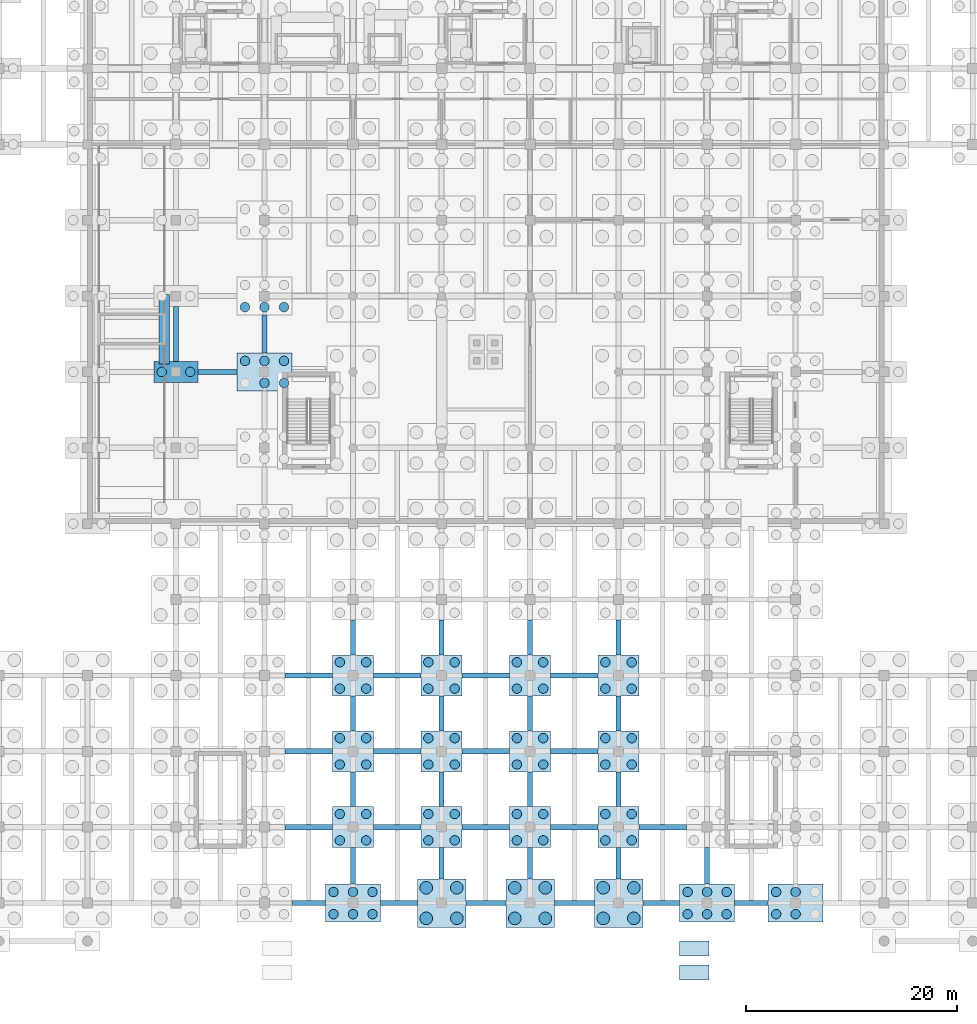
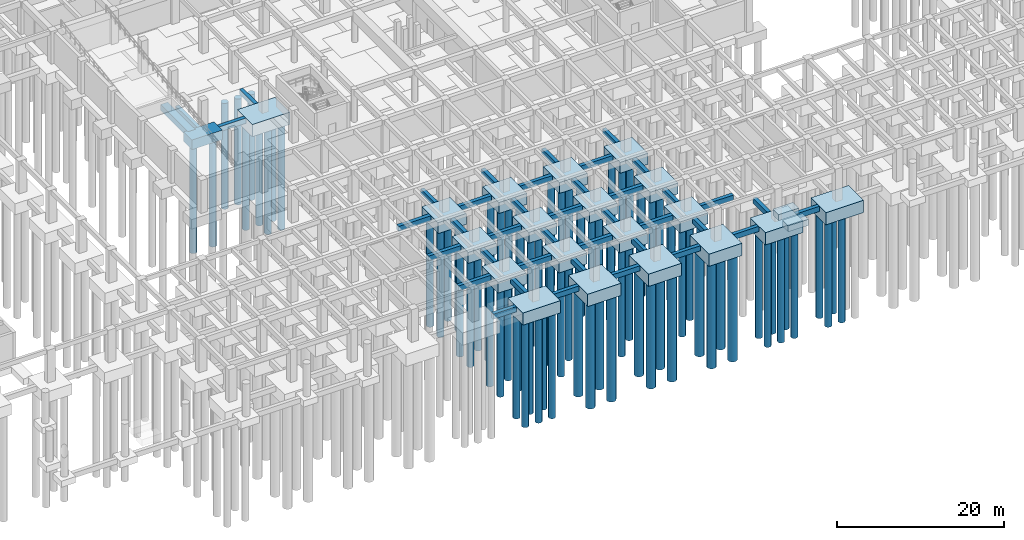
# One storey, part 3 of 26: 86 piles, 62 footings.
"""IFC4 building model written with IfcOpenShell, lengths in metres."""

from ifc_helpers import new_model, si_unit, direction, frame, origin, origin_2d, place, context, subcontext, project, spatial, rectangle, circle, extrude, material, material_profile, profile_set, type_object, element, save


model = new_model("IFC4")

# Units and contexts
model_context = context("Model", 3, precision=1e-05, world=origin(), true_north=direction((0.0, 1.0)))
body_context = subcontext(model_context, "Body", "Model", "MODEL_VIEW")
ifc_project = project(units=[si_unit("LENGTHUNIT", "METRE"), si_unit("AREAUNIT", "SQUARE_METRE"), si_unit("VOLUMEUNIT", "CUBIC_METRE"), si_unit("PLANEANGLEUNIT", "RADIAN"), si_unit("MASSUNIT", "GRAM", prefix="KILO")], contexts=[model_context])

# Site, building, storey
site_placement = place(None, origin())
site = spatial("IfcSite", under=ifc_project, at=site_placement, CompositionType="ELEMENT")
building_placement = place(site_placement, origin())
building = spatial("IfcBuilding", under=site, at=building_placement, Name="Kenerak Square Central Library", CompositionType="ELEMENT")
storey_placement = place(building_placement, frame((0.0, 0.0, -4.800048828125)))
storey = spatial("IfcBuildingStorey", under=building, at=storey_placement, Name="B1", CompositionType="ELEMENT", Elevation=-4.800048828125)

# Piles
ifc_material = material(Name="Concrete C40/50", Category="concrete")
ifc_material_profile_1 = material_profile(ifc_material, circle(Radius=0.60009765625, at=origin_2d()), Name="BP D1200")
ifc_profile_set_1 = profile_set([ifc_material_profile_1], Name="Concrete C40/50")
pile_type_1 = type_object("IfcPileType", Name="Bored Pile D1200 C40/50", PredefinedType="BORED", material=ifc_profile_set_1)
for number, where, z_axis, x_axis, name in (
    (1, (82.14990234375, 15.35009765625, -1.699951171875), (0.0, 0.0, -1.0), (1.0, 0.0, 0.0), "Bored Pile BP-1200 0341"),
    (2, (85.050048828125, 15.35009765625, -1.699951171875), (0.0, 0.0, -1.0), (1.0, 0.0, 0.0), "Bored Pile BP-1200 0342"),
    (3, (82.14990234375, 18.25, -1.699951171875), (0.0, 0.0, -1.0), (1.0, 0.0, 0.0), "Bored Pile BP-1200 0343"),
    (4, (85.050048828125, 18.25, -1.699951171875), (0.0, 0.0, -1.0), (1.0, 0.0, 0.0), "Bored Pile BP-1200 0344"),
    (5, (90.550048828125, 15.35009765625, -1.699951171875), (0.0, 0.0, -1.0), (1.0, 0.0, 0.0), "Bored Pile BP-1200 0413"),
    (6, (93.449951171875, 15.35009765625, -1.699951171875), (0.0, 0.0, -1.0), (1.0, 0.0, 0.0), "Bored Pile BP-1200 0414"),
    (7, (90.550048828125, 18.25, -1.699951171875), (0.0, 0.0, -1.0), (1.0, 0.0, 0.0), "Bored Pile BP-1200 0415"),
    (8, (93.449951171875, 18.25, -1.699951171875), (0.0, 0.0, -1.0), (1.0, 0.0, 0.0), "Bored Pile BP-1200 0416"),
    (9, (98.949951171875, 15.35009765625, -1.699951171875), (0.0, 0.0, -1.0), (1.0, 0.0, 0.0), "Bored Pile BP-1200 0469"),
    (10, (101.85009765625, 15.35009765625, -1.699951171875), (0.0, 0.0, -1.0), (1.0, 0.0, 0.0), "Bored Pile BP-1200 0470"),
    (11, (98.949951171875, 18.25, -1.699951171875), (0.0, 0.0, -1.0), (1.0, 0.0, 0.0), "Bored Pile BP-1200 0471"),
    (12, (101.85009765625, 18.25, -1.699951171875), (0.0, 0.0, -1.0), (1.0, 0.0, 0.0), "Bored Pile BP-1200 0472"),
):
    element("IfcPile", number, at=place(storey_placement, frame(where, z_axis=z_axis, x_axis=x_axis)), inside=storey, type_object=pile_type_1, Name=name, PredefinedType="BORED", context=body_context, shape_type="SweptSolid", body=[
        extrude(circle(Radius=0.60009765625, at=origin_2d()), origin(), (0.0, 0.0, 1.0), 15.5),
    ])
ifc_material_profile_2 = material_profile(ifc_material, circle(Radius=0.449951171875, at=origin_2d()), Name="BP D900")
ifc_profile_set_2 = profile_set([ifc_material_profile_2], Name="Concrete C40/50")
pile_type_2 = type_object("IfcPileType", Name="Bored Pile D900 C40/50", PredefinedType="BORED", material=ifc_profile_set_2)
for number, where, z_axis, x_axis, name in (
    (13, (57.050048828125, 67.199951171875, -1.300048828125), (0.0, 0.0, -1.0), (1.0, 0.0, 0.0), "Bored Pile BP-900 0173"),
    (14, (59.75, 67.199951171875, -1.300048828125), (0.0, 0.0, -1.0), (1.0, 0.0, 0.0), "Bored Pile BP-900 0174"),
):
    element("IfcPile", number, at=place(storey_placement, frame(where, z_axis=z_axis, x_axis=x_axis)), inside=storey, type_object=pile_type_2, Name=name, PredefinedType="BORED", context=body_context, shape_type="SweptSolid", body=[
        extrude(circle(Radius=0.449951171875, at=origin_2d()), origin(), (0.0, 0.0, 1.0), 15.89990234375),
    ])
for number, where, z_axis, x_axis, name in (
    (15, (66.800048828125, 66.14990234375, -1.699951171875), (0.0, 0.0, -1.0), (1.0, 0.0, 0.0), "Bored Pile BP-900 0238"),
    (16, (68.64990234375, 66.14990234375, -1.699951171875), (0.0, 0.0, -1.0), (1.0, 0.0, 0.0), "Bored Pile BP-900 0239"),
    (17, (64.949951171875, 68.25, -1.699951171875), (0.0, 0.0, -1.0), (1.0, 0.0, 0.0), "Bored Pile BP-900 0240"),
    (18, (66.800048828125, 68.25, -1.699951171875), (0.0, 0.0, -1.0), (1.0, 0.0, 0.0), "Bored Pile BP-900 0241"),
    (19, (68.64990234375, 68.25, -1.699951171875), (0.0, 0.0, -1.0), (1.0, 0.0, 0.0), "Bored Pile BP-900 0242"),
    (20, (64.949951171875, 73.35009765625, -1.699951171875), (0.0, 0.0, -1.0), (1.0, 0.0, 0.0), "Bored Pile BP-900 0243"),
    (21, (66.800048828125, 73.35009765625, -1.699951171875), (0.0, 0.0, -1.0), (1.0, 0.0, 0.0), "Bored Pile BP-900 0244"),
    (22, (68.64990234375, 73.35009765625, -1.699951171875), (0.0, 0.0, -1.0), (1.0, 0.0, 0.0), "Bored Pile BP-900 0245"),
    (23, (73.35009765625, 15.75, -1.699951171875), (0.0, 0.0, -1.0), (1.0, 0.0, 0.0), "Bored Pile BP-900 0277"),
    (24, (75.199951171875, 15.75, -1.699951171875), (0.0, 0.0, -1.0), (1.0, 0.0, 0.0), "Bored Pile BP-900 0278"),
    (25, (77.050048828125, 15.75, -1.699951171875), (0.0, 0.0, -1.0), (1.0, 0.0, 0.0), "Bored Pile BP-900 0279"),
    (26, (73.35009765625, 17.85009765625, -1.699951171875), (0.0, 0.0, -1.0), (1.0, 0.0, 0.0), "Bored Pile BP-900 0280"),
    (27, (75.199951171875, 17.85009765625, -1.699951171875), (0.0, 0.0, -1.0), (1.0, 0.0, 0.0), "Bored Pile BP-900 0281"),
    (28, (77.050048828125, 17.85009765625, -1.699951171875), (0.0, 0.0, -1.0), (1.0, 0.0, 0.0), "Bored Pile BP-900 0282"),
):
    element("IfcPile", number, at=place(storey_placement, frame(where, z_axis=z_axis, x_axis=x_axis)), inside=storey, type_object=pile_type_2, Name=name, PredefinedType="BORED", context=body_context, shape_type="SweptSolid", body=[
        extrude(circle(Radius=0.449951171875, at=origin_2d()), origin(), (0.0, 0.0, 1.0), 15.5),
    ])
for number, where, z_axis, x_axis, name in (
    (29, (73.949951171875, 22.75, -1.5), (0.0, 0.0, -1.0), (1.0, 0.0, 0.0), "Bored Pile BP-900 0283"),
    (30, (76.449951171875, 22.75, -1.5), (0.0, 0.0, -1.0), (1.0, 0.0, 0.0), "Bored Pile BP-900 0284"),
    (31, (73.949951171875, 25.25, -1.5), (0.0, 0.0, -1.0), (1.0, 0.0, 0.0), "Bored Pile BP-900 0285"),
    (32, (76.449951171875, 25.25, -1.5), (0.0, 0.0, -1.0), (1.0, 0.0, 0.0), "Bored Pile BP-900 0286"),
    (33, (73.949951171875, 29.949951171875, -1.5), (0.0, 0.0, -1.0), (1.0, 0.0, 0.0), "Bored Pile BP-900 0287"),
    (34, (76.449951171875, 29.949951171875, -1.5), (0.0, 0.0, -1.0), (1.0, 0.0, 0.0), "Bored Pile BP-900 0288"),
    (35, (73.949951171875, 32.449951171875, -1.5), (0.0, 0.0, -1.0), (1.0, 0.0, 0.0), "Bored Pile BP-900 0289"),
    (36, (76.449951171875, 32.449951171875, -1.5), (0.0, 0.0, -1.0), (1.0, 0.0, 0.0), "Bored Pile BP-900 0290"),
    (37, (73.949951171875, 37.14990234375, -1.5), (0.0, 0.0, -1.0), (1.0, 0.0, 0.0), "Bored Pile BP-900 0291"),
    (38, (76.449951171875, 37.14990234375, -1.5), (0.0, 0.0, -1.0), (1.0, 0.0, 0.0), "Bored Pile BP-900 0292"),
    (39, (73.949951171875, 39.64990234375, -1.5), (0.0, 0.0, -1.0), (1.0, 0.0, 0.0), "Bored Pile BP-900 0293"),
    (40, (76.449951171875, 39.64990234375, -1.5), (0.0, 0.0, -1.0), (1.0, 0.0, 0.0), "Bored Pile BP-900 0294"),
    (41, (82.35009765625, 22.75, -1.5), (0.0, 0.0, -1.0), (1.0, 0.0, 0.0), "Bored Pile BP-900 0345"),
    (42, (84.85009765625, 22.75, -1.5), (0.0, 0.0, -1.0), (1.0, 0.0, 0.0), "Bored Pile BP-900 0346"),
    (43, (82.35009765625, 25.25, -1.5), (0.0, 0.0, -1.0), (1.0, 0.0, 0.0), "Bored Pile BP-900 0347"),
    (44, (84.85009765625, 25.25, -1.5), (0.0, 0.0, -1.0), (1.0, 0.0, 0.0), "Bored Pile BP-900 0348"),
    (45, (82.35009765625, 29.949951171875, -1.5), (0.0, 0.0, -1.0), (1.0, 0.0, 0.0), "Bored Pile BP-900 0349"),
    (46, (84.85009765625, 29.949951171875, -1.5), (0.0, 0.0, -1.0), (1.0, 0.0, 0.0), "Bored Pile BP-900 0350"),
    (47, (82.35009765625, 32.449951171875, -1.5), (0.0, 0.0, -1.0), (1.0, 0.0, 0.0), "Bored Pile BP-900 0351"),
    (48, (84.85009765625, 32.449951171875, -1.5), (0.0, 0.0, -1.0), (1.0, 0.0, 0.0), "Bored Pile BP-900 0352"),
    (49, (82.35009765625, 37.14990234375, -1.5), (0.0, 0.0, -1.0), (1.0, 0.0, 0.0), "Bored Pile BP-900 0353"),
    (50, (84.85009765625, 37.14990234375, -1.5), (0.0, 0.0, -1.0), (1.0, 0.0, 0.0), "Bored Pile BP-900 0354"),
    (51, (82.35009765625, 39.64990234375, -1.5), (0.0, 0.0, -1.0), (1.0, 0.0, 0.0), "Bored Pile BP-900 0355"),
    (52, (84.85009765625, 39.64990234375, -1.5), (0.0, 0.0, -1.0), (1.0, 0.0, 0.0), "Bored Pile BP-900 0356"),
    (53, (90.75, 22.75, -1.5), (0.0, 0.0, -1.0), (1.0, 0.0, 0.0), "Bored Pile BP-900 0417"),
    (54, (93.25, 22.75, -1.5), (0.0, 0.0, -1.0), (1.0, 0.0, 0.0), "Bored Pile BP-900 0418"),
    (55, (90.75, 25.25, -1.5), (0.0, 0.0, -1.0), (1.0, 0.0, 0.0), "Bored Pile BP-900 0419"),
    (56, (93.25, 25.25, -1.5), (0.0, 0.0, -1.0), (1.0, 0.0, 0.0), "Bored Pile BP-900 0420"),
    (57, (90.75, 29.949951171875, -1.5), (0.0, 0.0, -1.0), (1.0, 0.0, 0.0), "Bored Pile BP-900 0421"),
    (58, (93.25, 29.949951171875, -1.5), (0.0, 0.0, -1.0), (1.0, 0.0, 0.0), "Bored Pile BP-900 0422"),
    (59, (90.75, 32.449951171875, -1.5), (0.0, 0.0, -1.0), (1.0, 0.0, 0.0), "Bored Pile BP-900 0423"),
    (60, (93.25, 32.449951171875, -1.5), (0.0, 0.0, -1.0), (1.0, 0.0, 0.0), "Bored Pile BP-900 0424"),
    (61, (90.75, 37.14990234375, -1.5), (0.0, 0.0, -1.0), (1.0, 0.0, 0.0), "Bored Pile BP-900 0425"),
    (62, (93.25, 37.14990234375, -1.5), (0.0, 0.0, -1.0), (1.0, 0.0, 0.0), "Bored Pile BP-900 0426"),
    (63, (90.75, 39.64990234375, -1.5), (0.0, 0.0, -1.0), (1.0, 0.0, 0.0), "Bored Pile BP-900 0427"),
    (64, (93.25, 39.64990234375, -1.5), (0.0, 0.0, -1.0), (1.0, 0.0, 0.0), "Bored Pile BP-900 0428"),
    (65, (99.14990234375, 22.75, -1.5), (0.0, 0.0, -1.0), (1.0, 0.0, 0.0), "Bored Pile BP-900 0473"),
    (66, (101.64990234375, 22.75, -1.5), (0.0, 0.0, -1.0), (1.0, 0.0, 0.0), "Bored Pile BP-900 0474"),
    (67, (99.14990234375, 25.25, -1.5), (0.0, 0.0, -1.0), (1.0, 0.0, 0.0), "Bored Pile BP-900 0475"),
    (68, (101.64990234375, 25.25, -1.5), (0.0, 0.0, -1.0), (1.0, 0.0, 0.0), "Bored Pile BP-900 0476"),
    (69, (99.14990234375, 29.949951171875, -1.5), (0.0, 0.0, -1.0), (1.0, 0.0, 0.0), "Bored Pile BP-900 0477"),
    (70, (101.64990234375, 29.949951171875, -1.5), (0.0, 0.0, -1.0), (1.0, 0.0, 0.0), "Bored Pile BP-900 0478"),
    (71, (99.14990234375, 32.449951171875, -1.5), (0.0, 0.0, -1.0), (1.0, 0.0, 0.0), "Bored Pile BP-900 0479"),
    (72, (101.64990234375, 32.449951171875, -1.5), (0.0, 0.0, -1.0), (1.0, 0.0, 0.0), "Bored Pile BP-900 0480"),
    (73, (99.14990234375, 37.14990234375, -1.5), (0.0, 0.0, -1.0), (1.0, 0.0, 0.0), "Bored Pile BP-900 0481"),
    (74, (101.64990234375, 37.14990234375, -1.5), (0.0, 0.0, -1.0), (1.0, 0.0, 0.0), "Bored Pile BP-900 0482"),
    (75, (99.14990234375, 39.64990234375, -1.5), (0.0, 0.0, -1.0), (1.0, 0.0, 0.0), "Bored Pile BP-900 0483"),
    (76, (101.64990234375, 39.64990234375, -1.5), (0.0, 0.0, -1.0), (1.0, 0.0, 0.0), "Bored Pile BP-900 0484"),
):
    element("IfcPile", number, at=place(storey_placement, frame(where, z_axis=z_axis, x_axis=x_axis)), inside=storey, type_object=pile_type_2, Name=name, PredefinedType="BORED", context=body_context, shape_type="SweptSolid", body=[
        extrude(circle(Radius=0.449951171875, at=origin_2d()), origin(), (0.0, 0.0, 1.0), 15.699951171875),
    ])
for number, where, z_axis, x_axis, name in (
    (77, (106.949951171875, 15.75, -1.699951171875), (0.0, 0.0, -1.0), (1.0, 0.0, 0.0), "Bored Pile BP-900 0529"),
    (78, (108.800048828125, 15.75, -1.699951171875), (0.0, 0.0, -1.0), (1.0, 0.0, 0.0), "Bored Pile BP-900 0530"),
    (79, (110.64990234375, 15.75, -1.699951171875), (0.0, 0.0, -1.0), (1.0, 0.0, 0.0), "Bored Pile BP-900 0531"),
    (80, (106.949951171875, 17.85009765625, -1.699951171875), (0.0, 0.0, -1.0), (1.0, 0.0, 0.0), "Bored Pile BP-900 0532"),
    (81, (108.800048828125, 17.85009765625, -1.699951171875), (0.0, 0.0, -1.0), (1.0, 0.0, 0.0), "Bored Pile BP-900 0533"),
    (82, (110.64990234375, 17.85009765625, -1.699951171875), (0.0, 0.0, -1.0), (1.0, 0.0, 0.0), "Bored Pile BP-900 0534"),
    (83, (115.35009765625, 15.75, -1.699951171875), (0.0, 0.0, -1.0), (1.0, 0.0, 0.0), "Bored Pile BP-900 0611"),
    (84, (117.199951171875, 15.75, -1.699951171875), (0.0, 0.0, -1.0), (1.0, 0.0, 0.0), "Bored Pile BP-900 0612"),
    (85, (115.35009765625, 17.85009765625, -1.699951171875), (0.0, 0.0, -1.0), (1.0, 0.0, 0.0), "Bored Pile BP-900 0614"),
    (86, (117.199951171875, 17.85009765625, -1.699951171875), (0.0, 0.0, -1.0), (1.0, 0.0, 0.0), "Bored Pile BP-900 0615"),
):
    element("IfcPile", number, at=place(storey_placement, frame(where, z_axis=z_axis, x_axis=x_axis)), inside=storey, type_object=pile_type_2, Name=name, PredefinedType="BORED", context=body_context, shape_type="SweptSolid", body=[
        extrude(circle(Radius=0.449951171875, at=origin_2d()), origin(), (0.0, 0.0, 1.0), 15.5),
    ])

# Footings
footing_type_1 = type_object("IfcFootingType", Name="Ground Tie Beam GB-01 500x750", PredefinedType="FOOTING_BEAM", material=ifc_material)
footing_1_placement = place(storey_placement, frame((62.35009765625, 67.199951171875, -0.75), z_axis=(0.0, 0.0, 1.0), x_axis=(1.0, 0.0, 0.0)))
element("IfcFooting", 87, at=footing_1_placement, inside=storey, type_object=footing_type_1, Name="Ground Tie Beam 067", PredefinedType="FOOTING_BEAM", context=body_context, shape_type="SweptSolid", body=[
    extrude(rectangle(XDim=3.699951171875, YDim=0.5, at=origin_2d()), origin(), (0.0, 0.0, 1.0), 0.75),
])
footing_2_placement = place(storey_placement, frame((58.39990234375, 70.800048828125, -0.75), z_axis=(0.0, 0.0, 1.0), x_axis=(1.0, 0.0, 0.0)))
element("IfcFooting", 88, at=footing_2_placement, inside=storey, type_object=footing_type_1, Name="Ground Tie Beam 068", PredefinedType="FOOTING_BEAM", context=body_context, shape_type="SweptSolid", body=[
    extrude(rectangle(XDim=0.5, YDim=5.199951171875, at=origin_2d()), origin(), (0.0, 0.0, 1.0), 0.75),
])
footing_3_placement = place(storey_placement, frame((71.0, 16.800048828125, -0.75), z_axis=(0.0, 0.0, 1.0), x_axis=(1.0, 0.0, 0.0)))
element("IfcFooting", 89, at=footing_3_placement, inside=storey, type_object=footing_type_1, Name="Ground Tie Beam 079", PredefinedType="FOOTING_BEAM", context=body_context, shape_type="SweptSolid", body=[
    extrude(rectangle(XDim=3.199951171875, YDim=0.5, at=origin_2d()), origin(), (0.0, 0.0, 1.0), 0.75),
])
for number, where, z_axis, x_axis, name in (
    (90, (71.0, 24.0, -0.75), (0.0, 0.0, 1.0), (1.0, 0.0, 0.0), "Ground Tie Beam 081"),
    (91, (71.0, 31.199951171875, -0.75), (0.0, 0.0, 1.0), (1.0, 0.0, 0.0), "Ground Tie Beam 083"),
    (92, (71.0, 38.39990234375, -0.75), (0.0, 0.0, 1.0), (1.0, 0.0, 0.0), "Ground Tie Beam 085"),
):
    element("IfcFooting", number, at=place(storey_placement, frame(where, z_axis=z_axis, x_axis=x_axis)), inside=storey, type_object=footing_type_1, Name=name, PredefinedType="FOOTING_BEAM", context=body_context, shape_type="SweptSolid", body=[
        extrude(rectangle(XDim=4.5, YDim=0.5, at=origin_2d()), origin(), (0.0, 0.0, 1.0), 0.75),
    ])
footing_4_placement = place(storey_placement, frame((66.800048828125, 70.800048828125, -0.75), z_axis=(0.0, 0.0, 1.0), x_axis=(1.0, 0.0, 0.0)))
element("IfcFooting", 93, at=footing_4_placement, inside=storey, type_object=footing_type_1, Name="Ground Tie Beam 093", PredefinedType="FOOTING_BEAM", context=body_context, shape_type="SweptSolid", body=[
    extrude(rectangle(XDim=0.5, YDim=3.60009765625, at=origin_2d()), origin(), (0.0, 0.0, 1.0), 0.75),
])
footing_5_placement = place(storey_placement, frame((79.550048828125, 16.800048828125, -0.75), z_axis=(0.0, 0.0, 1.0), x_axis=(1.0, 0.0, 0.0)))
element("IfcFooting", 94, at=footing_5_placement, inside=storey, type_object=footing_type_1, Name="Ground Tie Beam 105", PredefinedType="FOOTING_BEAM", context=body_context, shape_type="SweptSolid", body=[
    extrude(rectangle(XDim=3.5, YDim=0.5, at=origin_2d()), origin(), (0.0, 0.0, 1.0), 0.75),
])
footing_6_placement = place(storey_placement, frame((75.199951171875, 20.324951171875, -0.75), z_axis=(0.0, 0.0, 1.0), x_axis=(1.0, 0.0, 0.0)))
element("IfcFooting", 95, at=footing_6_placement, inside=storey, type_object=footing_type_1, Name="Ground Tie Beam 106", PredefinedType="FOOTING_BEAM", context=body_context, shape_type="SweptSolid", body=[
    extrude(rectangle(XDim=0.5, YDim=3.449951171875, at=origin_2d()), origin(), (0.0, 0.0, 1.0), 0.75),
])
footing_7_placement = place(storey_placement, frame((79.39990234375, 24.0, -0.75), z_axis=(0.0, 0.0, 1.0), x_axis=(1.0, 0.0, 0.0)))
element("IfcFooting", 96, at=footing_7_placement, inside=storey, type_object=footing_type_1, Name="Ground Tie Beam 107", PredefinedType="FOOTING_BEAM", context=body_context, shape_type="SweptSolid", body=[
    extrude(rectangle(XDim=4.5, YDim=0.5, at=origin_2d()), origin(), (0.0, 0.0, 1.0), 0.75),
])
footing_8_placement = place(storey_placement, frame((75.199951171875, 27.60009765625, -0.75), z_axis=(0.0, 0.0, 1.0), x_axis=(1.0, 0.0, 0.0)))
element("IfcFooting", 97, at=footing_8_placement, inside=storey, type_object=footing_type_1, Name="Ground Tie Beam 108", PredefinedType="FOOTING_BEAM", context=body_context, shape_type="SweptSolid", body=[
    extrude(rectangle(XDim=0.5, YDim=3.300048828125, at=origin_2d()), origin(), (0.0, 0.0, 1.0), 0.75),
])
footing_9_placement = place(storey_placement, frame((79.39990234375, 31.199951171875, -0.75), z_axis=(0.0, 0.0, 1.0), x_axis=(1.0, 0.0, 0.0)))
element("IfcFooting", 98, at=footing_9_placement, inside=storey, type_object=footing_type_1, Name="Ground Tie Beam 109", PredefinedType="FOOTING_BEAM", context=body_context, shape_type="SweptSolid", body=[
    extrude(rectangle(XDim=4.5, YDim=0.5, at=origin_2d()), origin(), (0.0, 0.0, 1.0), 0.75),
])
footing_10_placement = place(storey_placement, frame((75.199951171875, 34.800048828125, -0.75), z_axis=(0.0, 0.0, 1.0), x_axis=(1.0, 0.0, 0.0)))
element("IfcFooting", 99, at=footing_10_placement, inside=storey, type_object=footing_type_1, Name="Ground Tie Beam 110", PredefinedType="FOOTING_BEAM", context=body_context, shape_type="SweptSolid", body=[
    extrude(rectangle(XDim=0.5, YDim=3.300048828125, at=origin_2d()), origin(), (0.0, 0.0, 1.0), 0.75),
])
footing_11_placement = place(storey_placement, frame((79.39990234375, 38.39990234375, -0.75), z_axis=(0.0, 0.0, 1.0), x_axis=(1.0, 0.0, 0.0)))
element("IfcFooting", 100, at=footing_11_placement, inside=storey, type_object=footing_type_1, Name="Ground Tie Beam 111", PredefinedType="FOOTING_BEAM", context=body_context, shape_type="SweptSolid", body=[
    extrude(rectangle(XDim=4.5, YDim=0.5, at=origin_2d()), origin(), (0.0, 0.0, 1.0), 0.75),
])
footing_12_placement = place(storey_placement, frame((75.199951171875, 42.0, -0.75), z_axis=(0.0, 0.0, 1.0), x_axis=(1.0, 0.0, 0.0)))
element("IfcFooting", 101, at=footing_12_placement, inside=storey, type_object=footing_type_1, Name="Ground Tie Beam 112", PredefinedType="FOOTING_BEAM", context=body_context, shape_type="SweptSolid", body=[
    extrude(rectangle(XDim=0.5, YDim=3.300048828125, at=origin_2d()), origin(), (0.0, 0.0, 1.0), 0.75),
])
footing_13_placement = place(storey_placement, frame((87.800048828125, 16.800048828125, -0.75), z_axis=(0.0, 0.0, 1.0), x_axis=(1.0, 0.0, 0.0)))
element("IfcFooting", 102, at=footing_13_placement, inside=storey, type_object=footing_type_1, Name="Ground Tie Beam 130", PredefinedType="FOOTING_BEAM", context=body_context, shape_type="SweptSolid", body=[
    extrude(rectangle(XDim=3.800048828125, YDim=0.5, at=origin_2d()), origin(), (0.0, 0.0, 1.0), 0.75),
])
footing_14_placement = place(storey_placement, frame((83.60009765625, 20.574951171875, -0.75), z_axis=(0.0, 0.0, 1.0), x_axis=(1.0, 0.0, 0.0)))
element("IfcFooting", 103, at=footing_14_placement, inside=storey, type_object=footing_type_1, Name="Ground Tie Beam 131", PredefinedType="FOOTING_BEAM", context=body_context, shape_type="SweptSolid", body=[
    extrude(rectangle(XDim=0.5, YDim=2.949951171875, at=origin_2d()), origin(), (0.0, 0.0, 1.0), 0.75),
])
footing_15_placement = place(storey_placement, frame((87.800048828125, 24.0, -0.75), z_axis=(0.0, 0.0, 1.0), x_axis=(1.0, 0.0, 0.0)))
element("IfcFooting", 104, at=footing_15_placement, inside=storey, type_object=footing_type_1, Name="Ground Tie Beam 132", PredefinedType="FOOTING_BEAM", context=body_context, shape_type="SweptSolid", body=[
    extrude(rectangle(XDim=4.5, YDim=0.5, at=origin_2d()), origin(), (0.0, 0.0, 1.0), 0.75),
])
footing_16_placement = place(storey_placement, frame((83.60009765625, 27.60009765625, -0.75), z_axis=(0.0, 0.0, 1.0), x_axis=(1.0, 0.0, 0.0)))
element("IfcFooting", 105, at=footing_16_placement, inside=storey, type_object=footing_type_1, Name="Ground Tie Beam 133", PredefinedType="FOOTING_BEAM", context=body_context, shape_type="SweptSolid", body=[
    extrude(rectangle(XDim=0.5, YDim=3.300048828125, at=origin_2d()), origin(), (0.0, 0.0, 1.0), 0.75),
])
footing_17_placement = place(storey_placement, frame((87.800048828125, 31.199951171875, -0.75), z_axis=(0.0, 0.0, 1.0), x_axis=(1.0, 0.0, 0.0)))
element("IfcFooting", 106, at=footing_17_placement, inside=storey, type_object=footing_type_1, Name="Ground Tie Beam 134", PredefinedType="FOOTING_BEAM", context=body_context, shape_type="SweptSolid", body=[
    extrude(rectangle(XDim=4.5, YDim=0.5, at=origin_2d()), origin(), (0.0, 0.0, 1.0), 0.75),
])
footing_18_placement = place(storey_placement, frame((83.60009765625, 34.800048828125, -0.75), z_axis=(0.0, 0.0, 1.0), x_axis=(1.0, 0.0, 0.0)))
element("IfcFooting", 107, at=footing_18_placement, inside=storey, type_object=footing_type_1, Name="Ground Tie Beam 135", PredefinedType="FOOTING_BEAM", context=body_context, shape_type="SweptSolid", body=[
    extrude(rectangle(XDim=0.5, YDim=3.300048828125, at=origin_2d()), origin(), (0.0, 0.0, 1.0), 0.75),
])
footing_19_placement = place(storey_placement, frame((87.800048828125, 38.39990234375, -0.75), z_axis=(0.0, 0.0, 1.0), x_axis=(1.0, 0.0, 0.0)))
element("IfcFooting", 108, at=footing_19_placement, inside=storey, type_object=footing_type_1, Name="Ground Tie Beam 136", PredefinedType="FOOTING_BEAM", context=body_context, shape_type="SweptSolid", body=[
    extrude(rectangle(XDim=4.5, YDim=0.5, at=origin_2d()), origin(), (0.0, 0.0, 1.0), 0.75),
])
footing_20_placement = place(storey_placement, frame((83.60009765625, 42.0, -0.75), z_axis=(0.0, 0.0, 1.0), x_axis=(1.0, 0.0, 0.0)))
element("IfcFooting", 109, at=footing_20_placement, inside=storey, type_object=footing_type_1, Name="Ground Tie Beam 137", PredefinedType="FOOTING_BEAM", context=body_context, shape_type="SweptSolid", body=[
    extrude(rectangle(XDim=0.5, YDim=3.300048828125, at=origin_2d()), origin(), (0.0, 0.0, 1.0), 0.75),
])
footing_21_placement = place(storey_placement, frame((96.199951171875, 16.800048828125, -0.75), z_axis=(0.0, 0.0, 1.0), x_axis=(1.0, 0.0, 0.0)))
element("IfcFooting", 110, at=footing_21_placement, inside=storey, type_object=footing_type_1, Name="Ground Tie Beam 153", PredefinedType="FOOTING_BEAM", context=body_context, shape_type="SweptSolid", body=[
    extrude(rectangle(XDim=3.800048828125, YDim=0.5, at=origin_2d()), origin(), (0.0, 0.0, 1.0), 0.75),
])
footing_22_placement = place(storey_placement, frame((92.0, 20.574951171875, -0.75), z_axis=(0.0, 0.0, 1.0), x_axis=(1.0, 0.0, 0.0)))
element("IfcFooting", 111, at=footing_22_placement, inside=storey, type_object=footing_type_1, Name="Ground Tie Beam 154", PredefinedType="FOOTING_BEAM", context=body_context, shape_type="SweptSolid", body=[
    extrude(rectangle(XDim=0.5, YDim=2.949951171875, at=origin_2d()), origin(), (0.0, 0.0, 1.0), 0.75),
])
footing_23_placement = place(storey_placement, frame((96.199951171875, 24.0, -0.75), z_axis=(0.0, 0.0, 1.0), x_axis=(1.0, 0.0, 0.0)))
element("IfcFooting", 112, at=footing_23_placement, inside=storey, type_object=footing_type_1, Name="Ground Tie Beam 155", PredefinedType="FOOTING_BEAM", context=body_context, shape_type="SweptSolid", body=[
    extrude(rectangle(XDim=4.5, YDim=0.5, at=origin_2d()), origin(), (0.0, 0.0, 1.0), 0.75),
])
footing_24_placement = place(storey_placement, frame((92.0, 27.60009765625, -0.75), z_axis=(0.0, 0.0, 1.0), x_axis=(1.0, 0.0, 0.0)))
element("IfcFooting", 113, at=footing_24_placement, inside=storey, type_object=footing_type_1, Name="Ground Tie Beam 156", PredefinedType="FOOTING_BEAM", context=body_context, shape_type="SweptSolid", body=[
    extrude(rectangle(XDim=0.5, YDim=3.300048828125, at=origin_2d()), origin(), (0.0, 0.0, 1.0), 0.75),
])
footing_25_placement = place(storey_placement, frame((96.199951171875, 31.199951171875, -0.75), z_axis=(0.0, 0.0, 1.0), x_axis=(1.0, 0.0, 0.0)))
element("IfcFooting", 114, at=footing_25_placement, inside=storey, type_object=footing_type_1, Name="Ground Tie Beam 157", PredefinedType="FOOTING_BEAM", context=body_context, shape_type="SweptSolid", body=[
    extrude(rectangle(XDim=4.5, YDim=0.5, at=origin_2d()), origin(), (0.0, 0.0, 1.0), 0.75),
])
footing_26_placement = place(storey_placement, frame((92.0, 34.800048828125, -0.75), z_axis=(0.0, 0.0, 1.0), x_axis=(1.0, 0.0, 0.0)))
element("IfcFooting", 115, at=footing_26_placement, inside=storey, type_object=footing_type_1, Name="Ground Tie Beam 158", PredefinedType="FOOTING_BEAM", context=body_context, shape_type="SweptSolid", body=[
    extrude(rectangle(XDim=0.5, YDim=3.300048828125, at=origin_2d()), origin(), (0.0, 0.0, 1.0), 0.75),
])
footing_27_placement = place(storey_placement, frame((96.199951171875, 38.39990234375, -0.75), z_axis=(0.0, 0.0, 1.0), x_axis=(1.0, 0.0, 0.0)))
element("IfcFooting", 116, at=footing_27_placement, inside=storey, type_object=footing_type_1, Name="Ground Tie Beam 159", PredefinedType="FOOTING_BEAM", context=body_context, shape_type="SweptSolid", body=[
    extrude(rectangle(XDim=4.5, YDim=0.5, at=origin_2d()), origin(), (0.0, 0.0, 1.0), 0.75),
])
footing_28_placement = place(storey_placement, frame((92.0, 42.0, -0.75), z_axis=(0.0, 0.0, 1.0), x_axis=(1.0, 0.0, 0.0)))
element("IfcFooting", 117, at=footing_28_placement, inside=storey, type_object=footing_type_1, Name="Ground Tie Beam 160", PredefinedType="FOOTING_BEAM", context=body_context, shape_type="SweptSolid", body=[
    extrude(rectangle(XDim=0.5, YDim=3.300048828125, at=origin_2d()), origin(), (0.0, 0.0, 1.0), 0.75),
])
footing_29_placement = place(storey_placement, frame((104.449951171875, 16.800048828125, -0.75), z_axis=(0.0, 0.0, 1.0), x_axis=(1.0, 0.0, 0.0)))
element("IfcFooting", 118, at=footing_29_placement, inside=storey, type_object=footing_type_1, Name="Ground Tie Beam 176", PredefinedType="FOOTING_BEAM", context=body_context, shape_type="SweptSolid", body=[
    extrude(rectangle(XDim=3.5, YDim=0.5, at=origin_2d()), origin(), (0.0, 0.0, 1.0), 0.75),
])
footing_30_placement = place(storey_placement, frame((100.39990234375, 20.574951171875, -0.75), z_axis=(0.0, 0.0, 1.0), x_axis=(1.0, 0.0, 0.0)))
element("IfcFooting", 119, at=footing_30_placement, inside=storey, type_object=footing_type_1, Name="Ground Tie Beam 177", PredefinedType="FOOTING_BEAM", context=body_context, shape_type="SweptSolid", body=[
    extrude(rectangle(XDim=0.5, YDim=2.949951171875, at=origin_2d()), origin(), (0.0, 0.0, 1.0), 0.75),
])
footing_31_placement = place(storey_placement, frame((104.60009765625, 24.0, -0.75), z_axis=(0.0, 0.0, 1.0), x_axis=(1.0, 0.0, 0.0)))
element("IfcFooting", 120, at=footing_31_placement, inside=storey, type_object=footing_type_1, Name="Ground Tie Beam 178", PredefinedType="FOOTING_BEAM", context=body_context, shape_type="SweptSolid", body=[
    extrude(rectangle(XDim=4.5, YDim=0.5, at=origin_2d()), origin(), (0.0, 0.0, 1.0), 0.75),
])
for number, where, z_axis, x_axis, name in (
    (121, (100.39990234375, 27.60009765625, -0.75), (0.0, 0.0, 1.0), (1.0, 0.0, 0.0), "Ground Tie Beam 179"),
    (122, (100.39990234375, 34.800048828125, -0.75), (0.0, 0.0, 1.0), (1.0, 0.0, 0.0), "Ground Tie Beam 181"),
    (123, (100.39990234375, 42.0, -0.75), (0.0, 0.0, 1.0), (1.0, 0.0, 0.0), "Ground Tie Beam 183"),
):
    element("IfcFooting", number, at=place(storey_placement, frame(where, z_axis=z_axis, x_axis=x_axis)), inside=storey, type_object=footing_type_1, Name=name, PredefinedType="FOOTING_BEAM", context=body_context, shape_type="SweptSolid", body=[
        extrude(rectangle(XDim=0.5, YDim=3.300048828125, at=origin_2d()), origin(), (0.0, 0.0, 1.0), 0.75),
    ])
footing_32_placement = place(storey_placement, frame((113.0, 16.800048828125, -0.75), z_axis=(0.0, 0.0, 1.0), x_axis=(1.0, 0.0, 0.0)))
element("IfcFooting", 124, at=footing_32_placement, inside=storey, type_object=footing_type_1, Name="Ground Tie Beam 202", PredefinedType="FOOTING_BEAM", context=body_context, shape_type="SweptSolid", body=[
    extrude(rectangle(XDim=3.199951171875, YDim=0.5, at=origin_2d()), origin(), (0.0, 0.0, 1.0), 0.75),
])
footing_33_placement = place(storey_placement, frame((108.800048828125, 20.324951171875, -0.75), z_axis=(0.0, 0.0, 1.0), x_axis=(1.0, 0.0, 0.0)))
element("IfcFooting", 125, at=footing_33_placement, inside=storey, type_object=footing_type_1, Name="Ground Tie Beam 203", PredefinedType="FOOTING_BEAM", context=body_context, shape_type="SweptSolid", body=[
    extrude(rectangle(XDim=0.5, YDim=3.449951171875, at=origin_2d()), origin(), (0.0, 0.0, 1.0), 0.75),
])
footing_type_2 = type_object("IfcFootingType", Name="Pile Cap PC-01 4200x2000x1400", PredefinedType="PILE_CAP", material=ifc_material)
footing_34_placement = place(storey_placement, frame((58.39990234375, 67.199951171875, -1.39990234375), z_axis=(0.0, 0.0, 1.0), x_axis=(1.0, 0.0, 0.0)))
element("IfcFooting", 126, at=footing_34_placement, inside=storey, type_object=footing_type_2, Name="Pile Cap PC-01 049", PredefinedType="PILE_CAP", context=body_context, shape_type="SweptSolid", body=[
    extrude(rectangle(XDim=4.199951171875, YDim=2.0, at=origin_2d()), origin(), (0.0, 0.0, 1.0), 1.39990234375),
])
footing_type_3 = type_object("IfcFootingType", Name="Pile Cap PC-03 3900x3900x1600", PredefinedType="PILE_CAP", material=ifc_material)
for number, where, z_axis, x_axis, name in (
    (127, (75.199951171875, 24.0, -1.60009765625), (0.0, 0.0, 1.0), (1.0, 0.0, 0.0), "Pile Cap PC-03 072"),
    (128, (75.199951171875, 31.199951171875, -1.60009765625), (0.0, 0.0, 1.0), (1.0, 0.0, 0.0), "Pile Cap PC-03 073"),
    (129, (75.199951171875, 38.39990234375, -1.60009765625), (0.0, 0.0, 1.0), (1.0, 0.0, 0.0), "Pile Cap PC-03 074"),
    (130, (83.60009765625, 24.0, -1.60009765625), (0.0, 0.0, 1.0), (1.0, 0.0, 0.0), "Pile Cap PC-03 087"),
    (131, (83.60009765625, 31.199951171875, -1.60009765625), (0.0, 0.0, 1.0), (1.0, 0.0, 0.0), "Pile Cap PC-03 088"),
    (132, (83.60009765625, 38.39990234375, -1.60009765625), (0.0, 0.0, 1.0), (1.0, 0.0, 0.0), "Pile Cap PC-03 089"),
    (133, (92.0, 24.0, -1.60009765625), (0.0, 0.0, 1.0), (1.0, 0.0, 0.0), "Pile Cap PC-03 101"),
    (134, (92.0, 31.199951171875, -1.60009765625), (0.0, 0.0, 1.0), (1.0, 0.0, 0.0), "Pile Cap PC-03 102"),
    (135, (92.0, 38.39990234375, -1.60009765625), (0.0, 0.0, 1.0), (1.0, 0.0, 0.0), "Pile Cap PC-03 103"),
    (136, (100.39990234375, 24.0, -1.60009765625), (0.0, 0.0, 1.0), (1.0, 0.0, 0.0), "Pile Cap PC-03 115"),
    (137, (100.39990234375, 31.199951171875, -1.60009765625), (0.0, 0.0, 1.0), (1.0, 0.0, 0.0), "Pile Cap PC-03 116"),
    (138, (100.39990234375, 38.39990234375, -1.60009765625), (0.0, 0.0, 1.0), (1.0, 0.0, 0.0), "Pile Cap PC-03 117"),
):
    element("IfcFooting", number, at=place(storey_placement, frame(where, z_axis=z_axis, x_axis=x_axis)), inside=storey, type_object=footing_type_3, Name=name, PredefinedType="PILE_CAP", context=body_context, shape_type="SweptSolid", body=[
        extrude(rectangle(XDim=3.89990234375, YDim=3.89990234375, at=origin_2d()), origin(), (0.0, 0.0, 1.0), 1.60009765625),
    ])
footing_type_4 = type_object("IfcFootingType", Name="Pile Cap PC-04 4600x4600x1800", PredefinedType="PILE_CAP", material=ifc_material)
for number, where, z_axis, x_axis, name in (
    (139, (83.60009765625, 16.800048828125, -1.7998046875), (0.0, 0.0, 1.0), (1.0, 0.0, 0.0), "Pile Cap PC-04 086"),
    (140, (92.0, 16.800048828125, -1.7998046875), (0.0, 0.0, 1.0), (1.0, 0.0, 0.0), "Pile Cap PC-04 100"),
    (141, (100.39990234375, 16.800048828125, -1.7998046875), (0.0, 0.0, 1.0), (1.0, 0.0, 0.0), "Pile Cap PC-04 114"),
):
    element("IfcFooting", number, at=place(storey_placement, frame(where, z_axis=z_axis, x_axis=x_axis)), inside=storey, type_object=footing_type_4, Name=name, PredefinedType="PILE_CAP", context=body_context, shape_type="SweptSolid", body=[
        extrude(rectangle(XDim=4.60009765625, YDim=4.60009765625, at=origin_2d()), origin(), (0.0, 0.0, 1.0), 1.800048828125),
    ])
footing_type_5 = type_object("IfcFootingType", Name="Pile Cap PC-05 5200x3600x1800", PredefinedType="PILE_CAP", material=ifc_material)
for number, where, z_axis, x_axis, name in (
    (142, (66.800048828125, 67.199951171875, -1.7998046875), (0.0, 0.0, 1.0), (1.0, 0.0, 0.0), "Pile Cap PC-05 063"),
    (143, (75.199951171875, 16.800048828125, -1.7998046875), (0.0, 0.0, 1.0), (1.0, 0.0, 0.0), "Pile Cap PC-05 071"),
    (144, (108.800048828125, 16.800048828125, -1.7998046875), (0.0, 0.0, 1.0), (1.0, 0.0, 0.0), "Pile Cap PC-05 129"),
    (145, (117.199951171875, 16.800048828125, -1.7998046875), (0.0, 0.0, 1.0), (1.0, 0.0, 0.0), "Pile Cap PC-05 144"),
):
    element("IfcFooting", number, at=place(storey_placement, frame(where, z_axis=z_axis, x_axis=x_axis)), inside=storey, type_object=footing_type_5, Name=name, PredefinedType="PILE_CAP", context=body_context, shape_type="SweptSolid", body=[
        extrude(rectangle(XDim=5.199951171875, YDim=3.60009765625, at=origin_2d()), origin(), (0.0, 0.0, 1.0), 1.800048828125),
    ])
footing_type_6 = type_object("IfcFootingType", Name="Wall Strip Footing SF-01 1400x900", PredefinedType="STRIP_FOOTING", material=ifc_material)
footing_35_placement = place(storey_placement, frame((57.27490234375, 71.27001953125, -0.89990234375), z_axis=(0.0, 0.0, 1.0), x_axis=(1.0, 0.0, 0.0)))
element("IfcFooting", 146, at=footing_35_placement, inside=storey, type_object=footing_type_6, Name="Strip Footing SF-01 SFVR-LD E", PredefinedType="STRIP_FOOTING", context=body_context, shape_type="SweptSolid", body=[
    extrude(rectangle(XDim=1.0, YDim=6.60009765625, at=origin_2d()), origin(), (0.0, 0.0, 1.0), 0.89990234375),
])
for number, where, z_axis, x_axis, name in (
    (147, (107.60009765625, 10.199951171875, 3.440185546875), (0.0, 0.0, 1.0), (1.0, 0.0, 0.0), "Plaza Ramp Toe Strip Footing PR-02"),
    (148, (107.60009765625, 12.5, 3.68017578125), (0.0, 0.0, 1.0), (1.0, 0.0, 0.0), "Plaza Ramp Head Strip Footing PR-02"),
):
    element("IfcFooting", number, at=place(storey_placement, frame(where, z_axis=z_axis, x_axis=x_axis)), inside=storey, type_object=footing_type_6, Name=name, PredefinedType="STRIP_FOOTING", context=body_context, shape_type="SweptSolid", body=[
        extrude(rectangle(XDim=2.800048828125, YDim=1.39990234375, at=origin_2d()), origin(), (0.0, 0.0, 1.0), 0.89990234375),
    ])

save(model, "model.ifc")
